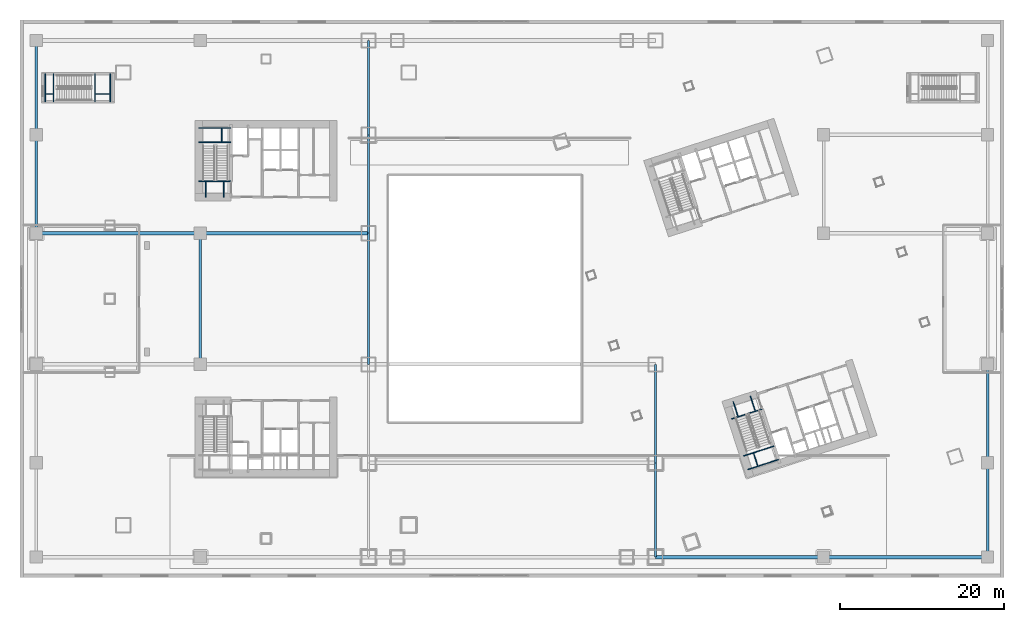
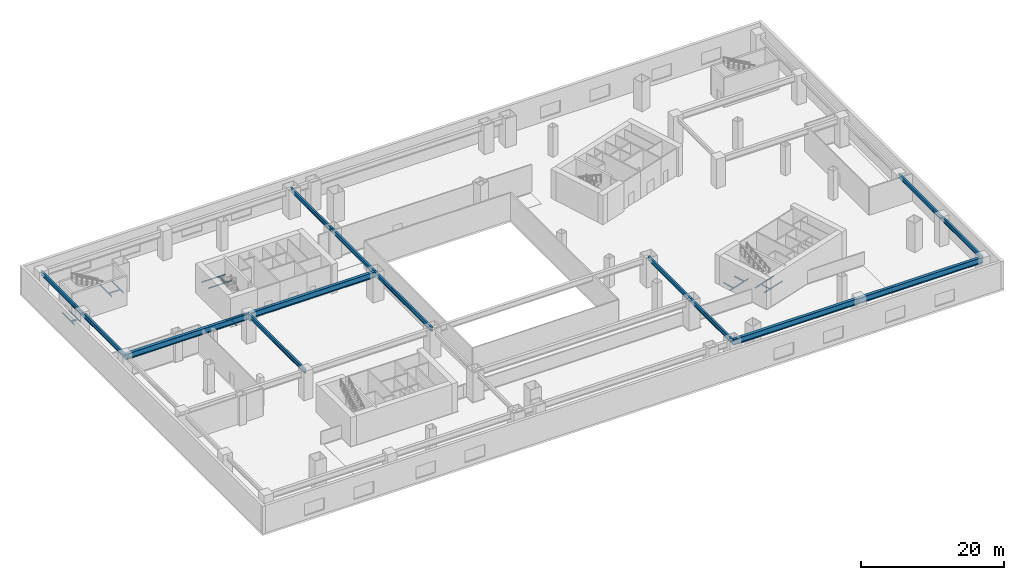
# One storey, part 13 of 35: 32 beams.
"""IFC4 building model written with IfcOpenShell, lengths in metres."""

from ifc_helpers import new_model, si_unit, direction, frame, origin, origin_2d, place, context, subcontext, project, spatial, i_section, extrude, material, material_profile, profile_set, type_object, element, save


model = new_model("IFC4")

# Units and contexts
model_context = context("Model", 3, precision=1e-05, world=origin(), true_north=direction((0.0, 1.0)))
body_context = subcontext(model_context, "Body", "Model", "MODEL_VIEW")
ifc_project = project(units=[si_unit("LENGTHUNIT", "METRE"), si_unit("AREAUNIT", "SQUARE_METRE"), si_unit("VOLUMEUNIT", "CUBIC_METRE"), si_unit("PLANEANGLEUNIT", "RADIAN"), si_unit("MASSUNIT", "GRAM", prefix="KILO")], contexts=[model_context])

# Site, building, storey
site_placement = place(None, origin())
site = spatial("IfcSite", under=ifc_project, at=site_placement, CompositionType="ELEMENT")
building_placement = place(site_placement, origin())
building = spatial("IfcBuilding", under=site, at=building_placement, Name="Qiaolan Cultural Towers", CompositionType="ELEMENT")
storey_placement = place(building_placement, frame((0.0, 0.0, 11.5)))
storey = spatial("IfcBuildingStorey", under=building, at=storey_placement, Name="L02", CompositionType="ELEMENT", Elevation=11.5)

# Beams
ifc_material_1 = material(Name="Steel Q390GJB", Category="steel")
ifc_material_profile_1 = material_profile(ifc_material_1, i_section(OverallWidth=0.449951171875, OverallDepth=1.0, WebThickness=0.02392578125, FlangeThickness=0.0400390625, at=origin_2d()), Name="BH1000x450x24x40")
ifc_profile_set_1 = profile_set([ifc_material_profile_1], Name="Steel Q390GJB")
beam_type_1 = type_object("IfcBeamType", Name="BM-BH1000x450x24x40", PredefinedType="BEAM", material=ifc_profile_set_1)
beam_1_placement = place(storey_placement, frame((77.5, 2.5, 4.199951171875), z_axis=(1.0, 0.0, 0.0), x_axis=(0.0, 1.0, 0.0)))
element("IfcBeam", 1, at=beam_1_placement, inside=storey, type_object=beam_type_1, Name="L02 Podium Primary Girder Y=2.5", PredefinedType="BEAM", context=body_context, shape_type="SweptSolid", body=[
    extrude(i_section(OverallWidth=0.449951171875, OverallDepth=1.0, WebThickness=0.02392578125, FlangeThickness=0.0400390625, at=origin_2d()), origin(), (0.0, 0.0, 1.0), 20.5),
])
for number, where, z_axis, x_axis, name in (
    (2, (98.0, 2.5, 4.199951171875), (1.0, 0.0, 0.0), (0.0, 1.0, 0.0), "L02 Podium Primary Girder Y=2.5"),
    (3, (2.0, 42.0, 4.199951171875), (1.0, 0.0, 0.0), (0.0, 1.0, 0.0), "L02 Podium Primary Girder Y=42.0"),
):
    element("IfcBeam", number, at=place(storey_placement, frame(where, z_axis=z_axis, x_axis=x_axis)), inside=storey, type_object=beam_type_1, Name=name, PredefinedType="BEAM", context=body_context, shape_type="SweptSolid", body=[
        extrude(i_section(OverallWidth=0.449951171875, OverallDepth=1.0, WebThickness=0.02392578125, FlangeThickness=0.0400390625, at=origin_2d()), origin(), (0.0, 0.0, 1.0), 20.0),
    ])
beam_2_placement = place(storey_placement, frame((22.0, 42.0, 4.199951171875), z_axis=(1.0, 0.0, 0.0), x_axis=(0.0, 1.0, 0.0)))
element("IfcBeam", 4, at=beam_2_placement, inside=storey, type_object=beam_type_1, Name="L02 Podium Primary Girder Y=42.0", PredefinedType="BEAM", context=body_context, shape_type="SweptSolid", body=[
    extrude(i_section(OverallWidth=0.449951171875, OverallDepth=1.0, WebThickness=0.02392578125, FlangeThickness=0.0400390625, at=origin_2d()), origin(), (0.0, 0.0, 1.0), 20.5),
])
ifc_material_2 = material(Name="Steel Q355B", Category="steel")
ifc_material_profile_2 = material_profile(ifc_material_2, i_section(OverallWidth=0.300048828125, OverallDepth=0.699951171875, WebThickness=0.012939453125, FlangeThickness=0.02392578125, at=origin_2d()), Name="HN700x300x13x24")
ifc_profile_set_2 = profile_set([ifc_material_profile_2], Name="Steel Q355B")
beam_type_2 = type_object("IfcBeamType", Name="BM-HN700x300x13x24", PredefinedType="BEAM", material=ifc_profile_set_2)
beam_3_placement = place(storey_placement, frame((2.0, 42.0, 4.35009765625), z_axis=(0.0, 1.0, 0.0), x_axis=(-1.0, 0.0, 0.0)))
element("IfcBeam", 5, at=beam_3_placement, inside=storey, type_object=beam_type_2, Name="L02 Podium Transverse Beam X=2.0", PredefinedType="BEAM", context=body_context, shape_type="SweptSolid", body=[
    extrude(i_section(OverallWidth=0.300048828125, OverallDepth=0.699951171875, WebThickness=0.012939453125, FlangeThickness=0.02392578125, at=origin_2d()), origin(), (0.0, 0.0, 1.0), 12.0),
])
beam_4_placement = place(storey_placement, frame((2.0, 54.0, 4.35009765625), z_axis=(0.0, 1.0, 0.0), x_axis=(-1.0, 0.0, 0.0)))
element("IfcBeam", 6, at=beam_4_placement, inside=storey, type_object=beam_type_2, Name="L02 Podium Transverse Beam X=2.0", PredefinedType="BEAM", context=body_context, shape_type="SweptSolid", body=[
    extrude(i_section(OverallWidth=0.300048828125, OverallDepth=0.699951171875, WebThickness=0.012939453125, FlangeThickness=0.02392578125, at=origin_2d()), origin(), (0.0, 0.0, 1.0), 11.5),
])
for number, where, z_axis, x_axis, name in (
    (7, (22.0, 26.0, 4.35009765625), (0.0, 1.0, 0.0), (-1.0, 0.0, 0.0), "L02 Podium Transverse Beam X=22.0"),
    (8, (42.5, 26.0, 4.35009765625), (0.0, 1.0, 0.0), (-1.0, 0.0, 0.0), "L02 Podium Transverse Beam X=42.5"),
):
    element("IfcBeam", number, at=place(storey_placement, frame(where, z_axis=z_axis, x_axis=x_axis)), inside=storey, type_object=beam_type_2, Name=name, PredefinedType="BEAM", context=body_context, shape_type="SweptSolid", body=[
        extrude(i_section(OverallWidth=0.300048828125, OverallDepth=0.699951171875, WebThickness=0.012939453125, FlangeThickness=0.02392578125, at=origin_2d()), origin(), (0.0, 0.0, 1.0), 16.0),
    ])
beam_5_placement = place(storey_placement, frame((42.5, 42.0, 4.35009765625), z_axis=(0.0, 1.0, 0.0), x_axis=(-1.0, 0.0, 0.0)))
element("IfcBeam", 9, at=beam_5_placement, inside=storey, type_object=beam_type_2, Name="L02 Podium Transverse Beam X=42.5", PredefinedType="BEAM", context=body_context, shape_type="SweptSolid", body=[
    extrude(i_section(OverallWidth=0.300048828125, OverallDepth=0.699951171875, WebThickness=0.012939453125, FlangeThickness=0.02392578125, at=origin_2d()), origin(), (0.0, 0.0, 1.0), 12.0),
])
for number, where, z_axis, x_axis, name in (
    (10, (42.5, 54.0, 4.35009765625), (0.0, 1.0, 0.0), (-1.0, 0.0, 0.0), "L02 Podium Transverse Beam X=42.5"),
    (11, (77.5, 2.5, 4.35009765625), (0.0, 1.0, 0.0), (-1.0, 0.0, 0.0), "L02 Podium Transverse Beam X=77.5"),
):
    element("IfcBeam", number, at=place(storey_placement, frame(where, z_axis=z_axis, x_axis=x_axis)), inside=storey, type_object=beam_type_2, Name=name, PredefinedType="BEAM", context=body_context, shape_type="SweptSolid", body=[
        extrude(i_section(OverallWidth=0.300048828125, OverallDepth=0.699951171875, WebThickness=0.012939453125, FlangeThickness=0.02392578125, at=origin_2d()), origin(), (0.0, 0.0, 1.0), 11.5),
    ])
beam_6_placement = place(storey_placement, frame((77.5, 14.0, 4.35009765625), z_axis=(0.0, 1.0, 0.0), x_axis=(-1.0, 0.0, 0.0)))
element("IfcBeam", 12, at=beam_6_placement, inside=storey, type_object=beam_type_2, Name="L02 Podium Transverse Beam X=77.5", PredefinedType="BEAM", context=body_context, shape_type="SweptSolid", body=[
    extrude(i_section(OverallWidth=0.300048828125, OverallDepth=0.699951171875, WebThickness=0.012939453125, FlangeThickness=0.02392578125, at=origin_2d()), origin(), (0.0, 0.0, 1.0), 12.0),
])
beam_7_placement = place(storey_placement, frame((118.0, 2.5, 4.35009765625), z_axis=(0.0, 1.0, 0.0), x_axis=(-1.0, 0.0, 0.0)))
element("IfcBeam", 13, at=beam_7_placement, inside=storey, type_object=beam_type_2, Name="L02 Podium Transverse Beam X=118.0", PredefinedType="BEAM", context=body_context, shape_type="SweptSolid", body=[
    extrude(i_section(OverallWidth=0.300048828125, OverallDepth=0.699951171875, WebThickness=0.012939453125, FlangeThickness=0.02392578125, at=origin_2d()), origin(), (0.0, 0.0, 1.0), 11.5),
])
beam_8_placement = place(storey_placement, frame((118.0, 14.0, 4.35009765625), z_axis=(0.0, 1.0, 0.0), x_axis=(-1.0, 0.0, 0.0)))
element("IfcBeam", 14, at=beam_8_placement, inside=storey, type_object=beam_type_2, Name="L02 Podium Transverse Beam X=118.0", PredefinedType="BEAM", context=body_context, shape_type="SweptSolid", body=[
    extrude(i_section(OverallWidth=0.300048828125, OverallDepth=0.699951171875, WebThickness=0.012939453125, FlangeThickness=0.02392578125, at=origin_2d()), origin(), (0.0, 0.0, 1.0), 12.0),
])
ifc_material_3 = material(Name="Steel Q355B", Category="steel")
ifc_material_profile_3 = material_profile(ifc_material_3, i_section(OverallWidth=0.10009765625, OverallDepth=0.199951171875, WebThickness=0.005615234375, FlangeThickness=0.008056640625, at=origin_2d()), Name="HN200x100x5.5x8")
ifc_profile_set_3 = profile_set([ifc_material_profile_3], Name="Steel Q355B")
beam_type_3 = type_object("IfcBeamType", Name="BM-STTRIM-200", PredefinedType="BEAM", material=ifc_profile_set_3)
beam_9_placement = place(storey_placement, frame((21.800048828125, 48.340087890625, -0.4599609375), z_axis=(1.0, 0.0, 0.0), x_axis=(0.0, 1.0, 0.0)))
element("IfcBeam", 15, at=beam_9_placement, inside=storey, type_object=beam_type_3, Name="L02 ST-W2 Floor Landing Header Beam", PredefinedType="BEAM", context=body_context, shape_type="SweptSolid", body=[
    extrude(i_section(OverallWidth=0.10009765625, OverallDepth=0.199951171875, WebThickness=0.005615234375, FlangeThickness=0.008056640625, at=origin_2d()), origin(), (0.0, 0.0, 1.0), 3.919921875),
])
for number, where, z_axis, x_axis, name in (
    (16, (22.64990234375, 46.39990234375, -0.4599609375), (0.0, 1.0, 0.0), (-1.0, 0.0, 0.0), "L02 ST-W2 Floor Landing Stringer 1"),
    (17, (24.85009765625, 46.39990234375, -0.4599609375), (0.0, 1.0, 0.0), (-1.0, 0.0, 0.0), "L02 ST-W2 Floor Landing Stringer 2"),
):
    element("IfcBeam", number, at=place(storey_placement, frame(where, z_axis=z_axis, x_axis=x_axis)), inside=storey, type_object=beam_type_3, Name=name, PredefinedType="BEAM", context=body_context, shape_type="SweptSolid", body=[
        extrude(i_section(OverallWidth=0.10009765625, OverallDepth=0.199951171875, WebThickness=0.005615234375, FlangeThickness=0.008056640625, at=origin_2d()), origin(), (0.0, 0.0, 1.0), 1.940185546875),
    ])
for number, where, z_axis, x_axis, name in (
    (18, (21.800048828125, 53.088623046875, 2.199951171875), (1.0, 0.0, 0.0), (0.0, 1.0, 0.0), "L02 ST-W2 Stair Landing Support Beam 1-1"),
    (19, (21.800048828125, 54.820068359375, 2.199951171875), (1.0, 0.0, 0.0), (0.0, 1.0, 0.0), "L02 ST-W2 Stair Landing Support Beam 1-2"),
):
    element("IfcBeam", number, at=place(storey_placement, frame(where, z_axis=z_axis, x_axis=x_axis)), inside=storey, type_object=beam_type_3, Name=name, PredefinedType="BEAM", context=body_context, shape_type="SweptSolid", body=[
        extrude(i_section(OverallWidth=0.10009765625, OverallDepth=0.199951171875, WebThickness=0.005615234375, FlangeThickness=0.008056640625, at=origin_2d()), origin(), (0.0, 0.0, 1.0), 3.919921875),
    ])
beam_10_placement = place(storey_placement, frame((24.610107421875, 53.088623046875, 2.199951171875), z_axis=(0.0, 1.0, 0.0), x_axis=(-1.0, 0.0, 0.0)))
element("IfcBeam", 20, at=beam_10_placement, inside=storey, type_object=beam_type_3, Name="L02 ST-W2 Stair Landing Trimmer 1", PredefinedType="BEAM", context=body_context, shape_type="SweptSolid", body=[
    extrude(i_section(OverallWidth=0.10009765625, OverallDepth=0.199951171875, WebThickness=0.005615234375, FlangeThickness=0.008056640625, at=origin_2d()), origin(), (0.0, 0.0, 1.0), 1.7314453125),
])
beam_11_placement = place(storey_placement, frame((86.770751953125, 19.3447265625, -0.4599609375), z_axis=(0.951047798727, 0.309043823005, 0.0), x_axis=(-0.309043823005, 0.951047798727, 0.0)))
element("IfcBeam", 21, at=beam_11_placement, inside=storey, type_object=beam_type_3, Name="L02 ST-E1 Floor Landing Header Beam", PredefinedType="BEAM", context=body_context, shape_type="SweptSolid", body=[
    extrude(i_section(OverallWidth=0.10009765625, OverallDepth=0.199951171875, WebThickness=0.005615234375, FlangeThickness=0.008056640625, at=origin_2d()), origin(), (0.0, 0.0, 1.0), 3.919921875),
])
for number, where, z_axis, x_axis, name in (
    (22, (86.9794921875, 21.452392578125, -0.4599609375), (0.309083226701, -0.951034993558, 0.0), (0.951034993558, 0.309083226701, 0.0), "L02 ST-E1 Floor Landing Stringer 1"),
    (23, (89.07177734375, 22.13232421875, -0.4599609375), (0.309083226701, -0.951034993558, 0.0), (0.951034993558, 0.309083226701, 0.0), "L02 ST-E1 Floor Landing Stringer 2"),
):
    element("IfcBeam", number, at=place(storey_placement, frame(where, z_axis=z_axis, x_axis=x_axis)), inside=storey, type_object=beam_type_3, Name=name, PredefinedType="BEAM", context=body_context, shape_type="SweptSolid", body=[
        extrude(i_section(OverallWidth=0.10009765625, OverallDepth=0.199951171875, WebThickness=0.005615234375, FlangeThickness=0.008056640625, at=origin_2d()), origin(), (0.0, 0.0, 1.0), 1.93994140625),
    ])
beam_12_placement = place(storey_placement, frame((88.238037109375, 14.82861328125, 2.199951171875), z_axis=(0.951072048947, 0.3089691857, 0.0), x_axis=(-0.3089691857, 0.951072048947, 0.0)))
element("IfcBeam", 24, at=beam_12_placement, inside=storey, type_object=beam_type_3, Name="L02 ST-E1 Stair Landing Support Beam 1-1", PredefinedType="BEAM", context=body_context, shape_type="SweptSolid", body=[
    extrude(i_section(OverallWidth=0.10009765625, OverallDepth=0.199951171875, WebThickness=0.005615234375, FlangeThickness=0.008056640625, at=origin_2d()), origin(), (0.0, 0.0, 1.0), 3.920166015625),
])
beam_13_placement = place(storey_placement, frame((88.773193359375, 13.181884765625, 2.199951171875), z_axis=(0.951047798727, 0.309043823005, 0.0), x_axis=(-0.309043823005, 0.951047798727, 0.0)))
element("IfcBeam", 25, at=beam_13_placement, inside=storey, type_object=beam_type_3, Name="L02 ST-E1 Stair Landing Support Beam 1-2", PredefinedType="BEAM", context=body_context, shape_type="SweptSolid", body=[
    extrude(i_section(OverallWidth=0.10009765625, OverallDepth=0.199951171875, WebThickness=0.005615234375, FlangeThickness=0.008056640625, at=origin_2d()), origin(), (0.0, 0.0, 1.0), 3.919921875),
])
beam_14_placement = place(storey_placement, frame((89.44580078125, 15.220947265625, 2.199951171875), z_axis=(0.309111581428, -0.951025777898, 0.0), x_axis=(0.951025777898, 0.309111581428, 0.0)))
element("IfcBeam", 26, at=beam_14_placement, inside=storey, type_object=beam_type_3, Name="L02 ST-E1 Stair Landing Trimmer 1", PredefinedType="BEAM", context=body_context, shape_type="SweptSolid", body=[
    extrude(i_section(OverallWidth=0.10009765625, OverallDepth=0.199951171875, WebThickness=0.005615234375, FlangeThickness=0.008056640625, at=origin_2d()), origin(), (0.0, 0.0, 1.0), 1.731201171875),
])
for number, where, z_axis, x_axis, name in (
    (27, (3.080078125, 58.050048828125, -0.4599609375), (0.0, 1.0, 0.0), (-1.0, 0.0, 0.0), "L02 ST-P1 Floor Landing Beam 1"),
    (28, (4.080078125, 58.050048828125, -0.4599609375), (0.0, 1.0, 0.0), (-1.0, 0.0, 0.0), "L02 ST-P1 Floor Landing Beam 2"),
):
    element("IfcBeam", number, at=place(storey_placement, frame(where, z_axis=z_axis, x_axis=x_axis)), inside=storey, type_object=beam_type_3, Name=name, PredefinedType="BEAM", context=body_context, shape_type="SweptSolid", body=[
        extrude(i_section(OverallWidth=0.10009765625, OverallDepth=0.199951171875, WebThickness=0.005615234375, FlangeThickness=0.008056640625, at=origin_2d()), origin(), (0.0, 0.0, 1.0), 3.39990234375),
    ])
beam_15_placement = place(storey_placement, frame((3.080078125, 58.97509765625, -0.4599609375), z_axis=(1.0, 0.0, 0.0), x_axis=(0.0, 1.0, 0.0)))
element("IfcBeam", 29, at=beam_15_placement, inside=storey, type_object=beam_type_3, Name="L02 ST-P1 Floor Landing Trimmer", PredefinedType="BEAM", context=body_context, shape_type="SweptSolid", body=[
    extrude(i_section(OverallWidth=0.10009765625, OverallDepth=0.199951171875, WebThickness=0.005615234375, FlangeThickness=0.008056640625, at=origin_2d()), origin(), (0.0, 0.0, 1.0), 1.0),
])
for number, where, z_axis, x_axis, name in (
    (30, (9.138671875, 58.050048828125, 2.199951171875), (0.0, 1.0, 0.0), (-1.0, 0.0, 0.0), "L02 ST-P1 Stair Landing Support Beam 1-1"),
    (31, (11.02001953125, 58.050048828125, 2.199951171875), (0.0, 1.0, 0.0), (-1.0, 0.0, 0.0), "L02 ST-P1 Stair Landing Support Beam 1-2"),
):
    element("IfcBeam", number, at=place(storey_placement, frame(where, z_axis=z_axis, x_axis=x_axis)), inside=storey, type_object=beam_type_3, Name=name, PredefinedType="BEAM", context=body_context, shape_type="SweptSolid", body=[
        extrude(i_section(OverallWidth=0.10009765625, OverallDepth=0.199951171875, WebThickness=0.005615234375, FlangeThickness=0.008056640625, at=origin_2d()), origin(), (0.0, 0.0, 1.0), 3.39990234375),
    ])
beam_16_placement = place(storey_placement, frame((9.138671875, 58.97509765625, 2.199951171875), z_axis=(1.0, 0.0, 0.0), x_axis=(0.0, 1.0, 0.0)))
element("IfcBeam", 32, at=beam_16_placement, inside=storey, type_object=beam_type_3, Name="L02 ST-P1 Stair Landing Trimmer 1", PredefinedType="BEAM", context=body_context, shape_type="SweptSolid", body=[
    extrude(i_section(OverallWidth=0.10009765625, OverallDepth=0.199951171875, WebThickness=0.005615234375, FlangeThickness=0.008056640625, at=origin_2d()), origin(), (0.0, 0.0, 1.0), 1.88134765625),
])

save(model, "model.ifc")
